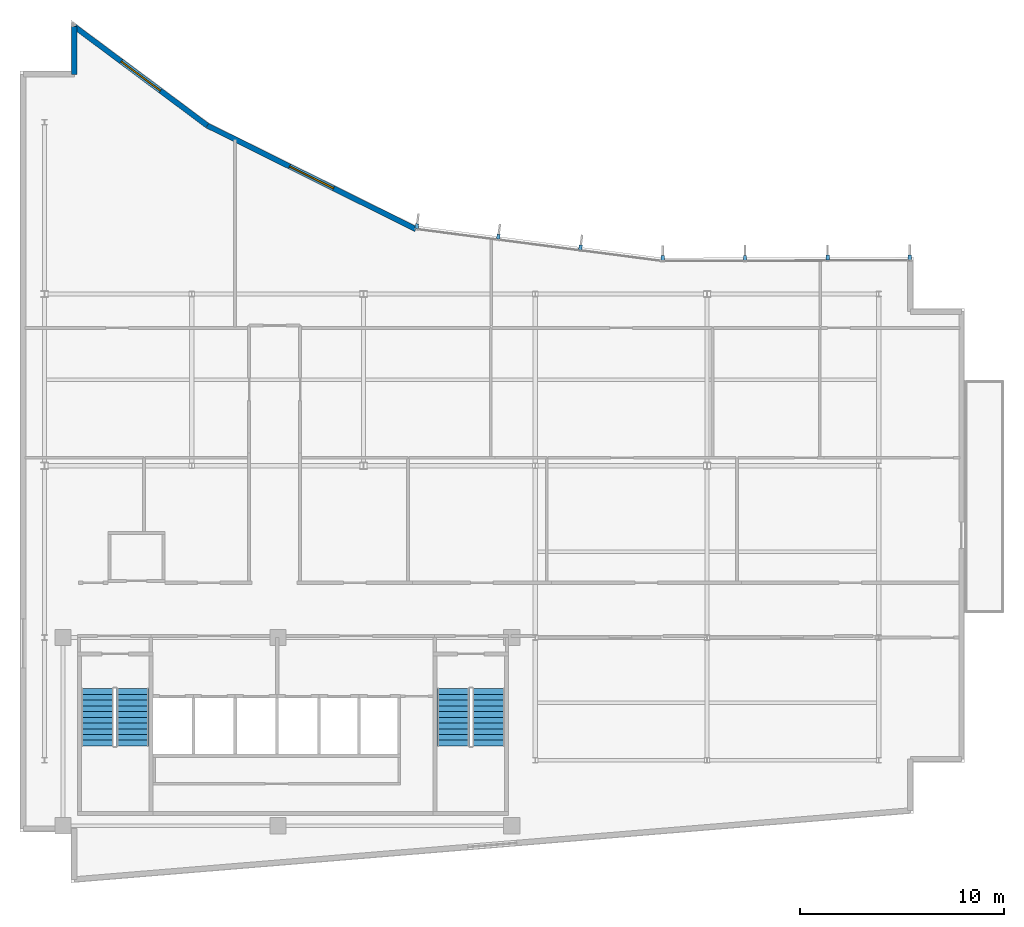
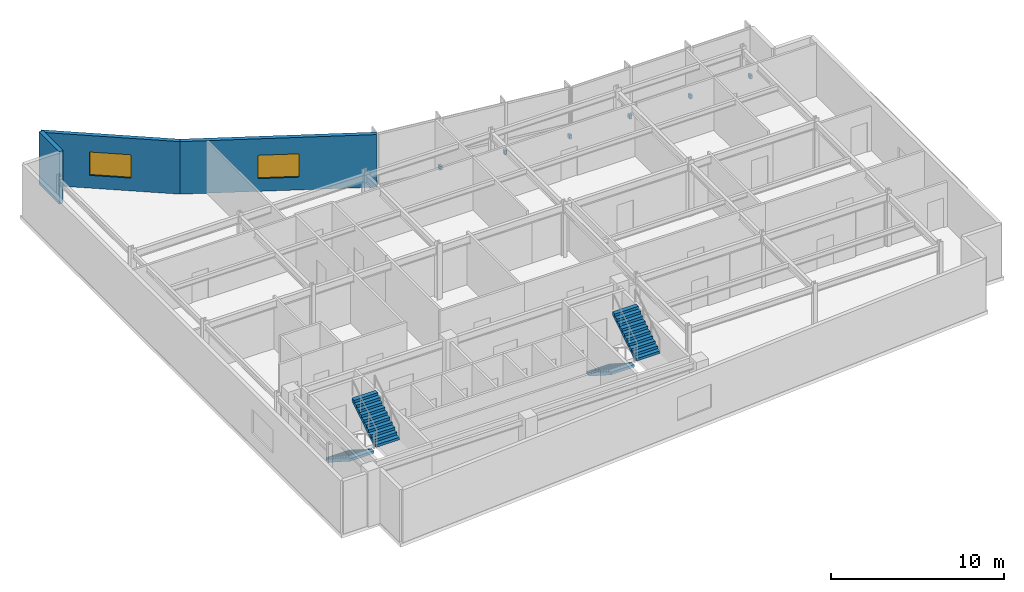
# One storey, part 12 of 15: 7 discrete accessories, 4 stair flights, 3 walls, 2 windows, 2 openings, 2 elements without a shape of their own.
"""IFC4 building model written with IfcOpenShell, lengths in metres."""

import ifcopenshell
import ifcopenshell.guid

model = None  # the IFC model being written
_history = None  # IfcOwnerHistory: only IFC2X3 demands one
_inside = {}  # id of a spatial element -> (the spatial element, [elements in it])
_under = {}  # id of a project, library or spatial element -> (it, [spatial elements below it])
_declared = {}  # id of a project -> (the project, [libraries it declares])
_typed = {}  # id of a type object -> (the type object, [elements of that type])
_made_of = {}  # id of a material, layer set ... -> (it, [elements and type objects made of it])


def new_model(schema):
    """Start an empty IFC model of exactly this schema.

    Asked for "IFC4X3", IfcOpenShell would pick the latest addendum, in which some entities
    have other attributes; the version numbers below select the first issue.
    IFC2X3 requires an IfcOwnerHistory on every rooted entity: one is made here for all.
    """
    global model, _history
    if schema == "IFC4X3":
        model = ifcopenshell.file(schema_version=(4, 3, 0, 0))
    else:
        model = ifcopenshell.file(schema=schema)
    _inside.clear()
    _under.clear()
    _declared.clear()
    _typed.clear()
    _made_of.clear()
    _history = None
    if model.schema == "IFC2X3":
        org = make("IfcOrganization", Name="unknown")
        user = make(
            "IfcPersonAndOrganization",
            ThePerson=make("IfcPerson", FamilyName="unknown"),
            TheOrganization=org,
        )
        app = make(
            "IfcApplication",
            ApplicationDeveloper=org,
            Version="unknown",
            ApplicationFullName="unknown",
            ApplicationIdentifier="unknown",
        )
        _history = make(
            "IfcOwnerHistory",
            OwningUser=user,
            OwningApplication=app,
            ChangeAction="ADDED",
            CreationDate=0,
        )
    return model


def make(cls, **values):
    """One entity of the class cls with the attributes given. An attribute that is None is left unset."""
    return model.create_entity(
        cls, **{name: value for name, value in values.items() if value is not None}
    )


def rooted(cls, **values):
    """An entity with a GlobalId (a new one), such as an element, a storey or a relation."""
    return make(cls, GlobalId=ifcopenshell.guid.new(), OwnerHistory=_history, **values)


def si_unit(unit_type, name, prefix=None):
    """IfcSIUnit, for example si_unit("LENGTHUNIT", "METRE", prefix="MILLI")."""
    return make("IfcSIUnit", UnitType=unit_type, Prefix=prefix, Name=name)


def assignment(units):
    """IfcUnitAssignment: the units of a project."""
    return None if units is None else make("IfcUnitAssignment", Units=units)


def point(xyz):
    """IfcCartesianPoint."""
    return None if xyz is None else make("IfcCartesianPoint", Coordinates=xyz)


def direction(xyz):
    """IfcDirection."""
    return None if xyz is None else make("IfcDirection", DirectionRatios=xyz)


def frame(location, z_axis=None, x_axis=None):
    """IfcAxis2Placement3D, a coordinate frame: its origin and axes. An axis left out is left unset."""
    return make(
        "IfcAxis2Placement3D",
        Location=point(location),
        Axis=direction(z_axis),
        RefDirection=direction(x_axis),
    )


def frame_2d(location, x_axis=None):
    """IfcAxis2Placement2D, a coordinate frame in the plane: its origin and x axis."""
    return make(
        "IfcAxis2Placement2D", Location=point(location), RefDirection=direction(x_axis)
    )


def origin():
    """The frame at (0, 0, 0) with its axes left unset."""
    return frame((0.0, 0.0, 0.0))


def origin_2d():
    """The frame at (0, 0) in the plane with its x axis left unset."""
    return frame_2d((0.0, 0.0))


def place(relative_to, where):
    """IfcLocalPlacement: puts the frame where relative to a parent placement (None: the world)."""
    return make(
        "IfcLocalPlacement", PlacementRelTo=relative_to, RelativePlacement=where
    )


def context(
    kind, dimensions, precision=None, world=None, true_north=None, identifier=None
):
    """IfcGeometricRepresentationContext, for example the 3D "Model" context."""
    return make(
        "IfcGeometricRepresentationContext",
        ContextIdentifier=identifier,
        ContextType=kind,
        CoordinateSpaceDimension=dimensions,
        Precision=precision,
        WorldCoordinateSystem=world,
        TrueNorth=true_north,
    )


def subcontext(parent, identifier, kind, view, scale=None):
    """IfcGeometricRepresentationSubContext, for example "Body" below "Model"."""
    return make(
        "IfcGeometricRepresentationSubContext",
        ContextIdentifier=identifier,
        ContextType=kind,
        ParentContext=parent,
        TargetScale=scale,
        TargetView=view,
    )


def project(units=None, contexts=None):
    """IfcProject with its units and contexts."""
    return rooted(
        "IfcProject",
        Name="project",
        RepresentationContexts=contexts,
        UnitsInContext=assignment(units),
    )


def spatial(cls, under=None, at=None, **own):
    """A site, building, storey or space (cls), placed at a placement, below another one or the project."""
    s = rooted(cls, ObjectPlacement=at, **own)
    if under is not None:
        _under.setdefault(under.id(), (under, []))[1].append(s)
    return s


def polyline(points):
    """IfcPolyline through the points."""
    return make("IfcPolyline", Points=[point(p) for p in points])


def profile(cls, at=None, kind="AREA", **sizes):
    """A parametric profile (cls). Its sizes go by their IFC names, for example OverallWidth=200.0."""
    return make(cls, ProfileType=kind, Position=at, **sizes)


def rectangle(**sizes):
    """IfcRectangleProfileDef."""
    return profile("IfcRectangleProfileDef", **sizes)


def outline(outer, holes=None, kind="AREA"):
    """IfcArbitraryClosedProfileDef: a profile drawn as a closed curve; with holes, ...WithVoids."""
    if holes is None:
        return make("IfcArbitraryClosedProfileDef", ProfileType=kind, OuterCurve=outer)
    return make(
        "IfcArbitraryProfileDefWithVoids",
        ProfileType=kind,
        OuterCurve=outer,
        InnerCurves=holes,
    )


def extrude(swept, where, along, depth):
    """IfcExtrudedAreaSolid: the profile swept, set in the frame where, extruded along a direction by depth."""
    return make(
        "IfcExtrudedAreaSolid",
        SweptArea=swept,
        Position=where,
        ExtrudedDirection=direction(along),
        Depth=depth,
    )


def shape(context_of_items, identifier, shape_type, items):
    """IfcShapeRepresentation: the items that make up one representation, for example the "Body"."""
    return make(
        "IfcShapeRepresentation",
        ContextOfItems=context_of_items,
        RepresentationIdentifier=identifier,
        RepresentationType=shape_type,
        Items=items,
    )


def material(Name=None, Category=None):
    """IfcMaterial."""
    return make("IfcMaterial", Name=Name, Category=Category)


def layer(
    of_material, thickness, ventilated=None, Name=None, Category=None, Priority=None
):
    """IfcMaterialLayer: one layer of a wall or slab, of a material (None: an air gap)."""
    return make(
        "IfcMaterialLayer",
        Material=of_material,
        LayerThickness=thickness,
        IsVentilated=ventilated,
        Name=Name,
        Category=Category,
        Priority=Priority,
    )


def layer_set(layers, Name=None):
    """IfcMaterialLayerSet."""
    return make("IfcMaterialLayerSet", MaterialLayers=layers, LayerSetName=Name)


def made_of(thing, what):
    """Note that an element or type object is made of a material, layer set ...; save() writes the relation."""
    if what is not None:
        _made_of.setdefault(what.id(), (what, []))[1].append(thing)
    return thing


def type_object(cls, material=None, **own):
    """A type object (cls), such as IfcWallType, which elements share."""
    return made_of(rooted(cls, **own), material)


def element(
    cls,
    number,
    at=None,
    inside=None,
    cuts=None,
    type_object=None,
    material=None,
    context=None,
    identifier="Body",
    shape_type=None,
    held_by="IfcProductDefinitionShape",
    body=None,
    shapes=None,
    **own,
):
    """One element of the class cls, such as IfcWall. Its Tag is "e" and its number.

    at: its placement. inside: the storey or other place that contains it. cuts: it is an
    opening in that element (IfcRelVoidsElement). A single representation is given by context,
    identifier, shape_type and body (its items); several are given by shapes. held_by: the class
    of the entity that holds the representations. save() writes the other relations.
    """
    e = rooted(cls, Tag="e%d" % number, ObjectPlacement=at, **own)
    if body is not None:
        shapes = [shape(context, identifier, shape_type, body)]
    if shapes is not None:
        e.Representation = make(held_by, Representations=shapes)
    if inside is not None:
        _inside.setdefault(inside.id(), (inside, []))[1].append(e)
    if cuts is not None:
        rooted(
            "IfcRelVoidsElement", RelatingBuildingElement=cuts, RelatedOpeningElement=e
        )
    if type_object is not None:
        _typed.setdefault(type_object.id(), (type_object, []))[1].append(e)
    return made_of(e, material)


def fill(opening, filler):
    """IfcRelFillsElement: the door or window that sits in an opening."""
    return rooted(
        "IfcRelFillsElement",
        RelatingOpeningElement=opening,
        RelatedBuildingElement=filler,
    )


def aggregate(whole, parts):
    """IfcRelAggregates: a whole, such as a stair, and the parts it consists of."""
    return rooted("IfcRelAggregates", RelatingObject=whole, RelatedObjects=parts)


def save(model, path):
    """Write the relations noted so far, then the file.

    IfcRelAggregates (storeys below a building ...), IfcRelContainedInSpatialStructure (elements
    in a storey), IfcRelDefinesByType, IfcRelAssociatesMaterial and IfcRelDeclares: one each for
    every whole, place, type object, material and project.
    """
    for whole, parts in _under.values():
        aggregate(whole, parts)
    for where, things in _inside.values():
        rooted(
            "IfcRelContainedInSpatialStructure",
            RelatedElements=things,
            RelatingStructure=where,
        )
    for kind, things in _typed.values():
        rooted("IfcRelDefinesByType", RelatedObjects=things, RelatingType=kind)
    for what, things in _made_of.values():
        rooted("IfcRelAssociatesMaterial", RelatedObjects=things, RelatingMaterial=what)
    for by, libraries in _declared.values():
        rooted("IfcRelDeclares", RelatingContext=by, RelatedDefinitions=libraries)
    model.write(path)


model = new_model("IFC4")

# Units and contexts
model_context = context("Model", 3, precision=1e-05, world=origin(), true_north=direction((0.0, 1.0)))
body_context = subcontext(model_context, "Body", "Model", "MODEL_VIEW")
ifc_project = project(units=[si_unit("LENGTHUNIT", "METRE"), si_unit("AREAUNIT", "SQUARE_METRE"), si_unit("VOLUMEUNIT", "CUBIC_METRE"), si_unit("PLANEANGLEUNIT", "RADIAN"), si_unit("MASSUNIT", "GRAM", prefix="KILO")], contexts=[model_context])

# Site, building, storey
site_placement = place(None, origin())
site = spatial("IfcSite", under=ifc_project, at=site_placement, CompositionType="ELEMENT")
building_placement = place(site_placement, origin())
building = spatial("IfcBuilding", under=site, at=building_placement, Name="Varnakote Quay Hospital", CompositionType="ELEMENT")
storey_placement = place(building_placement, frame((0.0, 0.0, 252.60009765625)))
storey = spatial("IfcBuildingStorey", under=building, at=storey_placement, Name="L62", CompositionType="ELEMENT", Elevation=252.60009765625)

# Wall, opening, window
ifc_material_1 = material(Name="Precast concrete N50 (f'c 50 MPa)", Category="concrete")
ifc_layer_1 = layer(ifc_material_1, 0.260009765625)
ifc_layer_set_1 = layer_set([ifc_layer_1], Name="Precast concrete N50 (f'c 50 MPa)")
wall_type = type_object("IfcWallType", Name="WL-EXT-BRICK-260", PredefinedType="STANDARD", material=ifc_layer_set_1)
wall_1_placement = place(storey_placement, frame((19.356689453125, 31.972900390625, 0.0), z_axis=(0.0, 0.0, 1.0), x_axis=(-0.895624365378, 0.444811191565, 0.0)))
wall_1 = element("IfcWall", 1, at=wall_1_placement, inside=storey, type_object=wall_type, Name="L62 Brick-Faced Precast Exterior Wall", PredefinedType="STANDARD", context=body_context, shape_type="SweptSolid", body=[
    extrude(rectangle(XDim=11.389404296875, YDim=0.260009765625, at=frame_2d((5.69482421875, 0.0))), origin(), (0.0, 0.0, 1.0), 3.7099609375),
])
opening_1_placement = place(wall_1_placement, frame((4.494873046875, 0.0, 0.89990234375)))
opening_1 = element("IfcOpeningElement", 2, at=opening_1_placement, cuts=wall_1, Name="Opening WN-0251", PredefinedType="OPENING", context=body_context, shape_type="SweptSolid", body=[
    extrude(rectangle(XDim=2.39990234375, YDim=1.64990234375, at=frame_2d((1.199951171875, 0.824951171875))), frame((0.0, 0.139892578125, 0.0), z_axis=(0.0, -1.0, 0.0), x_axis=(1.0, 0.0, 0.0)), (0.0, 0.0, 1.0), 0.280029296875),
])
ifc_material_2 = material(Name="Double-glazed low-E solar glass", Category="glass")
window_type = type_object("IfcWindowType", Name="WIN-CLIN-2400x1650", PartitioningType="SINGLE_PANEL", PredefinedType="WINDOW", material=ifc_material_2)
window_1_placement = place(opening_1_placement, origin())
window_1 = element("IfcWindow", 3, at=window_1_placement, inside=storey, type_object=window_type, Name="L62 Solar-Control Clinical Window", OverallHeight=1.64990234375, OverallWidth=2.39990234375, PartitioningType="SINGLE_PANEL", PredefinedType="WINDOW", context=body_context, shape_type="SweptSolid", body=[
    extrude(rectangle(XDim=2.39990234375, YDim=1.64990234375, at=frame_2d((1.199951171875, 0.824951171875))), frame((0.0, 0.030029296875, 0.0), z_axis=(0.0, -1.0, 0.0), x_axis=(1.0, 0.0, 0.0)), (0.0, 0.0, 1.0), 0.06005859375),
])
fill(opening_1, window_1)

wall_2_placement = place(storey_placement, frame((9.156005859375, 37.0390625, 0.0), z_axis=(0.0, 0.0, 1.0), x_axis=(-0.801775528243, 0.597625302602, 0.0)))
wall_2 = element("IfcWall", 4, at=wall_2_placement, inside=storey, type_object=wall_type, Name="L62 Brick-Faced Precast Exterior Wall", PredefinedType="STANDARD", context=body_context, shape_type="SweptSolid", body=[
    extrude(rectangle(XDim=8.10205078125, YDim=0.260009765625, at=frame_2d((4.051025390625, 0.0))), origin(), (0.0, 0.0, 1.0), 3.7099609375),
])
opening_2_placement = place(wall_2_placement, frame((2.85107421875, 0.0, 0.89990234375)))
opening_2 = element("IfcOpeningElement", 5, at=opening_2_placement, cuts=wall_2, Name="Opening WN-0252", PredefinedType="OPENING", context=body_context, shape_type="SweptSolid", body=[
    extrude(rectangle(XDim=2.39990234375, YDim=1.64990234375, at=frame_2d((1.199951171875, 0.824951171875))), frame((0.0, 0.139892578125, 0.0), z_axis=(0.0, -1.0, 0.0), x_axis=(1.0, 0.0, 0.0)), (0.0, 0.0, 1.0), 0.280029296875),
])
window_2_placement = place(opening_2_placement, origin())
window_2 = element("IfcWindow", 6, at=window_2_placement, inside=storey, type_object=window_type, Name="L62 Solar-Control Clinical Window", OverallHeight=1.64990234375, OverallWidth=2.39990234375, PartitioningType="SINGLE_PANEL", PredefinedType="WINDOW", context=body_context, shape_type="SweptSolid", body=[
    extrude(rectangle(XDim=2.39990234375, YDim=1.64990234375, at=frame_2d((1.199951171875, 0.824951171875))), frame((0.0, 0.030029296875, 0.0), z_axis=(0.0, -1.0, 0.0), x_axis=(1.0, 0.0, 0.0)), (0.0, 0.0, 1.0), 0.06005859375),
])
fill(opening_2, window_2)

# Wall
wall_3_placement = place(storey_placement, frame((2.659912109375, 41.881103515625, 0.0), z_axis=(0.0, 0.0, 1.0), x_axis=(0.0, -1.0, 0.0)))
element("IfcWall", 7, at=wall_3_placement, inside=storey, type_object=wall_type, Name="L62 Brick-Faced Precast Exterior Wall", PredefinedType="STANDARD", context=body_context, shape_type="SweptSolid", body=[
    extrude(rectangle(XDim=2.341064453125, YDim=0.260009765625, at=frame_2d((1.17041015625, 0.0))), origin(), (0.0, 0.0, 1.0), 3.7099609375),
])

# Stair, stair flights
ifc_material_3 = material(Name="Concrete N40 (f'c 40 MPa)", Category="concrete")
stair_type = type_object("IfcStairType", Name="STR-CORE-1580", PredefinedType="HALF_TURN_STAIR", material=ifc_material_3)
stair_1_placement = place(storey_placement, origin())
stair_1 = element("IfcStair", 8, at=stair_1_placement, inside=storey, type_object=stair_type, Name="L62 Fire-Isolated Exit Stair ST-01", PredefinedType="HALF_TURN_STAIR")
ifc_material_4 = material(Name="Concrete N40 (f'c 40 MPa)", Category="concrete")
ifc_layer_2 = layer(ifc_material_4, 0.159912109375)
ifc_layer_set_2 = layer_set([ifc_layer_2], Name="Concrete N40 (f'c 40 MPa)")
stair_flight_type = type_object("IfcStairFlightType", Name="FLT-CORE-1580", PredefinedType="STRAIGHT", material=ifc_layer_set_2)
stair_flight_1_placement = place(storey_placement, frame((3.7900390625, 9.5, 0.0), z_axis=(0.0, 0.0, 1.0), x_axis=(0.0, -1.0, 0.0)))
stair_flight_1 = element("IfcStairFlight", 9, at=stair_flight_1_placement, type_object=stair_flight_type, Name="ST-01 flight 1", NumberOfRisers=11, NumberOfTreads=10, PredefinedType="STRAIGHT", RiserHeight=0.179545455, TreadLength=0.28, context=body_context, shape_type="SweptSolid", body=[
    extrude(outline(polyline([(0.0, 0.0), (0.0, 0.179443359375), (0.280029296875, 0.179443359375), (0.280029296875, 0.359130859375), (0.56005859375, 0.359130859375), (0.56005859375, 0.53857421875), (0.840087890625, 0.53857421875), (0.840087890625, 0.71826171875), (1.1201171875, 0.71826171875), (1.1201171875, 0.897705078125), (1.39990234375, 0.897705078125), (1.39990234375, 1.077392578125), (1.679931640625, 1.077392578125), (1.679931640625, 1.2568359375), (1.9599609375, 1.2568359375), (1.9599609375, 1.436279296875), (2.239990234375, 1.436279296875), (2.239990234375, 1.615966796875), (2.52001953125, 1.615966796875), (2.52001953125, 1.79541015625), (2.800048828125, 1.79541015625), (2.800048828125, 1.97509765625), (2.800048828125, 1.60546875), (0.296142578125, 0.0), (0.0, 0.0)])), frame((0.0, 0.7900390625, 0.0), z_axis=(0.0, -1.0, 0.0), x_axis=(1.0, 0.0, 0.0)), (0.0, 0.0, 1.0), 1.580078125),
])
stair_flight_2_placement = place(storey_placement, frame((5.510009765625, 6.699951171875, 1.974853515625), z_axis=(0.0, 0.0, 1.0), x_axis=(0.0, 1.0, 0.0)))
stair_flight_2 = element("IfcStairFlight", 10, at=stair_flight_2_placement, type_object=stair_flight_type, Name="ST-01 flight 2", NumberOfRisers=11, NumberOfTreads=10, PredefinedType="STRAIGHT", RiserHeight=0.179545455, TreadLength=0.28, context=body_context, shape_type="SweptSolid", body=[
    extrude(outline(polyline([(0.0, 0.0), (0.0, 0.179443359375), (0.280029296875, 0.179443359375), (0.280029296875, 0.359130859375), (0.56005859375, 0.359130859375), (0.56005859375, 0.53857421875), (0.840087890625, 0.53857421875), (0.840087890625, 0.71826171875), (1.1201171875, 0.71826171875), (1.1201171875, 0.897705078125), (1.39990234375, 0.897705078125), (1.39990234375, 1.077392578125), (1.679931640625, 1.077392578125), (1.679931640625, 1.2568359375), (1.9599609375, 1.2568359375), (1.9599609375, 1.436279296875), (2.239990234375, 1.436279296875), (2.239990234375, 1.615966796875), (2.52001953125, 1.615966796875), (2.52001953125, 1.79541015625), (2.800048828125, 1.79541015625), (2.800048828125, 1.97509765625), (2.800048828125, 1.60546875), (0.296142578125, 0.0), (0.0, 0.0)])), frame((0.0, 0.7900390625, 0.0), z_axis=(0.0, -1.0, 0.0), x_axis=(1.0, 0.0, 0.0)), (0.0, 0.0, 1.0), 1.580078125),
])
aggregate(stair_1, [stair_flight_1, stair_flight_2])

stair_2_placement = place(storey_placement, origin())
stair_2 = element("IfcStair", 11, at=stair_2_placement, inside=storey, type_object=stair_type, Name="L62 Fire-Isolated Exit Stair ST-02", PredefinedType="HALF_TURN_STAIR")
stair_flight_3_placement = place(storey_placement, frame((21.18994140625, 9.5, 0.0), z_axis=(0.0, 0.0, 1.0), x_axis=(0.0, -1.0, 0.0)))
stair_flight_3 = element("IfcStairFlight", 12, at=stair_flight_3_placement, type_object=stair_flight_type, Name="ST-02 flight 1", NumberOfRisers=11, NumberOfTreads=10, PredefinedType="STRAIGHT", RiserHeight=0.179545455, TreadLength=0.28, context=body_context, shape_type="SweptSolid", body=[
    extrude(outline(polyline([(0.0, 0.0), (0.0, 0.179443359375), (0.280029296875, 0.179443359375), (0.280029296875, 0.359130859375), (0.56005859375, 0.359130859375), (0.56005859375, 0.53857421875), (0.840087890625, 0.53857421875), (0.840087890625, 0.71826171875), (1.1201171875, 0.71826171875), (1.1201171875, 0.897705078125), (1.39990234375, 0.897705078125), (1.39990234375, 1.077392578125), (1.679931640625, 1.077392578125), (1.679931640625, 1.2568359375), (1.9599609375, 1.2568359375), (1.9599609375, 1.436279296875), (2.239990234375, 1.436279296875), (2.239990234375, 1.615966796875), (2.52001953125, 1.615966796875), (2.52001953125, 1.79541015625), (2.800048828125, 1.79541015625), (2.800048828125, 1.97509765625), (2.800048828125, 1.60546875), (0.296142578125, 0.0), (0.0, 0.0)])), frame((0.0, 0.7900390625, 0.0), z_axis=(0.0, -1.0, 0.0), x_axis=(1.0, 0.0, 0.0)), (0.0, 0.0, 1.0), 1.580078125),
])
stair_flight_4_placement = place(storey_placement, frame((22.909912109375, 6.699951171875, 1.974853515625), z_axis=(0.0, 0.0, 1.0), x_axis=(0.0, 1.0, 0.0)))
stair_flight_4 = element("IfcStairFlight", 13, at=stair_flight_4_placement, type_object=stair_flight_type, Name="ST-02 flight 2", NumberOfRisers=11, NumberOfTreads=10, PredefinedType="STRAIGHT", RiserHeight=0.179545455, TreadLength=0.28, context=body_context, shape_type="SweptSolid", body=[
    extrude(outline(polyline([(0.0, 0.0), (0.0, 0.179443359375), (0.280029296875, 0.179443359375), (0.280029296875, 0.359130859375), (0.56005859375, 0.359130859375), (0.56005859375, 0.53857421875), (0.840087890625, 0.53857421875), (0.840087890625, 0.71826171875), (1.1201171875, 0.71826171875), (1.1201171875, 0.897705078125), (1.39990234375, 0.897705078125), (1.39990234375, 1.077392578125), (1.679931640625, 1.077392578125), (1.679931640625, 1.2568359375), (1.9599609375, 1.2568359375), (1.9599609375, 1.436279296875), (2.239990234375, 1.436279296875), (2.239990234375, 1.615966796875), (2.52001953125, 1.615966796875), (2.52001953125, 1.79541015625), (2.800048828125, 1.79541015625), (2.800048828125, 1.97509765625), (2.800048828125, 1.60546875), (0.296142578125, 0.0), (0.0, 0.0)])), frame((0.0, 0.7900390625, 0.0), z_axis=(0.0, -1.0, 0.0), x_axis=(1.0, 0.0, 0.0)), (0.0, 0.0, 1.0), 1.580078125),
])
aggregate(stair_2, [stair_flight_3, stair_flight_4])

# Discrete accessories
ifc_material_5 = material(Name="Anodised aluminium 6063-T6 Bronze", Category="aluminium")
discrete_accessory_type = type_object("IfcDiscreteAccessoryType", Name="ACC-FIN-BRACKET-180", PredefinedType="BRACKET", material=ifc_material_5)
for number, where, z_axis, x_axis, name in (
    (14, (43.507080078125, 30.589599609375, 0.0), (0.0, 0.0, 1.0), (-0.999996573056, -0.002617990887, 0.0), "L62 Curtain Wall Fin Fixing Bracket"),
    (15, (39.494873046875, 30.5791015625, 0.0), (0.0, 0.0, 1.0), (-0.999996573056, -0.002617990887, 0.0), "L62 Curtain Wall Fin Fixing Bracket"),
    (16, (35.4501953125, 30.568603515625, 0.0), (0.0, 0.0, 1.0), (-0.999996573056, -0.002617990887, 0.0), "L62 Curtain Wall Fin Fixing Bracket"),
    (17, (31.43798828125, 30.55810546875, 0.0), (0.0, 0.0, 1.0), (-0.999996573056, -0.002617990887, 0.0), "L62 Curtain Wall Fin Fixing Bracket"),
    (18, (27.408935546875, 31.078369140625, 0.0), (0.0, 0.0, 1.0), (-0.991671162383, 0.128795596578, 0.0), "L62 Curtain Wall Fin Fixing Bracket"),
    (19, (23.392578125, 31.60009765625, 0.0), (0.0, 0.0, 1.0), (-0.991671162383, 0.128795596578, 0.0), "L62 Curtain Wall Fin Fixing Bracket"),
    (20, (19.408203125, 32.117431640625, 0.0), (0.0, 0.0, 1.0), (-0.991671162383, 0.128795596578, 0.0), "L62 Curtain Wall Fin Fixing Bracket"),
):
    element("IfcDiscreteAccessory", number, at=place(storey_placement, frame(where, z_axis=z_axis, x_axis=x_axis)), inside=storey, type_object=discrete_accessory_type, Name=name, PredefinedType="BRACKET", context=body_context, shape_type="SweptSolid", body=[
        extrude(rectangle(XDim=0.159912109375, YDim=0.239990234375, at=origin_2d()), origin(), (0.0, 0.0, 1.0), 0.280029296875),
    ])

save(model, "model.ifc")
